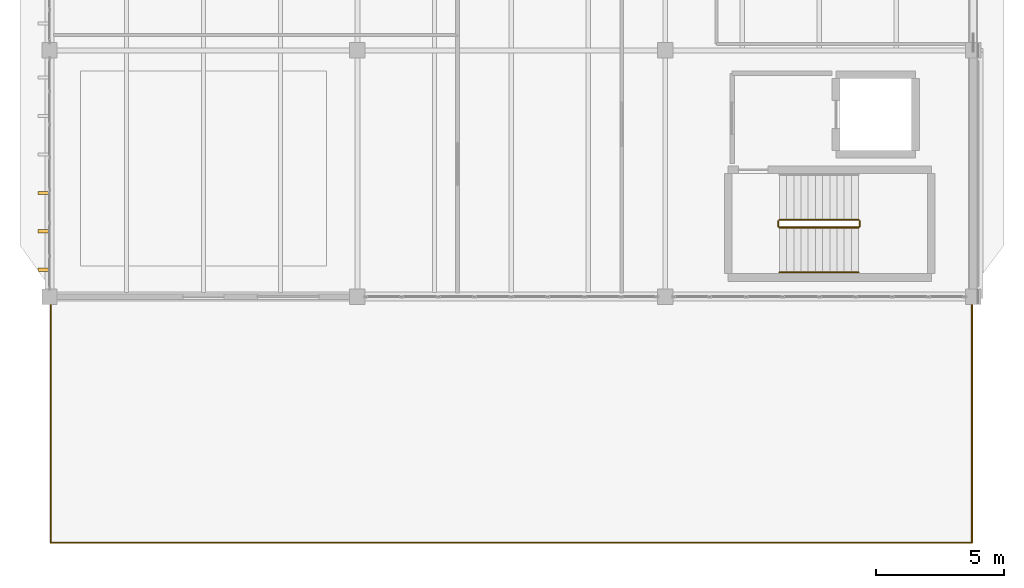
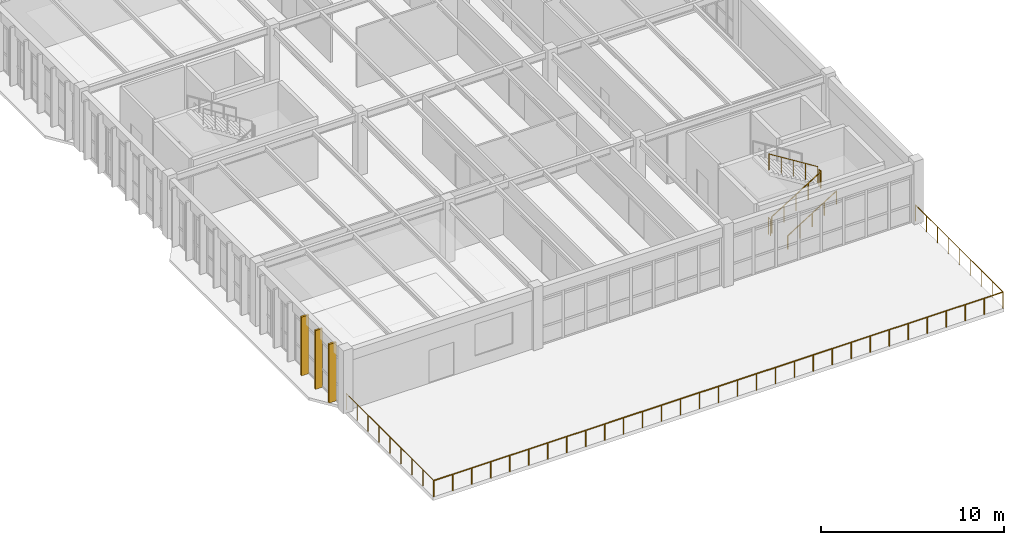
# One storey, part 34 of 37: 8 railings, 3 shading devices.
"""IFC4 building model written with IfcOpenShell, lengths in metres."""

from ifc_helpers import new_model, si_unit, direction, frame, origin, origin_2d, place, context, subcontext, project, spatial, rectangle, circle, extrude, material, type_object, element, save


model = new_model("IFC4")

# Units and contexts
model_context = context("Model", 3, precision=1e-05, world=origin(), true_north=direction((0.0, 1.0)))
body_context = subcontext(model_context, "Body", "Model", "MODEL_VIEW")
ifc_project = project(units=[si_unit("LENGTHUNIT", "METRE"), si_unit("AREAUNIT", "SQUARE_METRE"), si_unit("VOLUMEUNIT", "CUBIC_METRE"), si_unit("PLANEANGLEUNIT", "RADIAN"), si_unit("MASSUNIT", "GRAM", prefix="KILO")], contexts=[model_context])

# Site, building, storey
site_placement = place(None, origin())
site = spatial("IfcSite", under=ifc_project, at=site_placement, CompositionType="ELEMENT")
building_placement = place(site_placement, origin())
building = spatial("IfcBuilding", under=site, at=building_placement, Name="Pandanus Reach Market Hall", CompositionType="ELEMENT")
storey_placement = place(building_placement, frame((0.0, 0.0, 14.39990234375)))
storey = spatial("IfcBuildingStorey", under=building, at=storey_placement, Name="L03", CompositionType="ELEMENT", Elevation=14.39990234375)

# Railings
ifc_material_1 = material(Name="Galvanised steel Grade 350 (350 MPa)", Category="steel")
railing_type_1 = type_object("IfcRailingType", Name="BL-EXT-110", PredefinedType="BALUSTRADE", material=ifc_material_1)
railing_1_placement = place(storey_placement, frame((144.04833984375, 19.212890625, 0.0)))
element("IfcRailing", 1, at=railing_1_placement, inside=storey, type_object=railing_type_1, Name="Terrace balustrade L03.16", PredefinedType="BALUSTRADE", context=body_context, shape_type="SweptSolid", body=[
    extrude(circle(Radius=0.02392578125, at=origin_2d()), frame((0.0, 0.0, 1.076171875), z_axis=(1.0, 0.0, 0.0), x_axis=(0.0, 1.0, 0.0)), (0.0, 0.0, 1.0), 35.9033203125),
    extrude(circle(Radius=0.02099609375, at=origin_2d()), origin(), (0.0, 0.0, 1.0), 1.052001953125),
    extrude(circle(Radius=0.02099609375, at=origin_2d()), frame((1.19677734375, 0.0, 0.0)), (0.0, 0.0, 1.0), 1.052001953125),
    extrude(circle(Radius=0.02099609375, at=origin_2d()), frame((2.3935546875, 0.0, 0.0)), (0.0, 0.0, 1.0), 1.052001953125),
    extrude(circle(Radius=0.02099609375, at=origin_2d()), frame((3.59033203125, 0.0, 0.0)), (0.0, 0.0, 1.0), 1.052001953125),
    extrude(circle(Radius=0.02099609375, at=origin_2d()), frame((4.787109375, 0.0, 0.0)), (0.0, 0.0, 1.0), 1.052001953125),
    extrude(circle(Radius=0.02099609375, at=origin_2d()), frame((5.98388671875, 0.0, 0.0)), (0.0, 0.0, 1.0), 1.052001953125),
    extrude(circle(Radius=0.02099609375, at=origin_2d()), frame((7.1806640625, 0.0, 0.0)), (0.0, 0.0, 1.0), 1.052001953125),
    extrude(circle(Radius=0.02099609375, at=origin_2d()), frame((8.37744140625, 0.0, 0.0)), (0.0, 0.0, 1.0), 1.052001953125),
    extrude(circle(Radius=0.02099609375, at=origin_2d()), frame((9.57421875, 0.0, 0.0)), (0.0, 0.0, 1.0), 1.052001953125),
    extrude(circle(Radius=0.02099609375, at=origin_2d()), frame((10.77099609375, 0.0, 0.0)), (0.0, 0.0, 1.0), 1.052001953125),
    extrude(circle(Radius=0.02099609375, at=origin_2d()), frame((11.9677734375, 0.0, 0.0)), (0.0, 0.0, 1.0), 1.052001953125),
    extrude(circle(Radius=0.02099609375, at=origin_2d()), frame((13.16455078125, 0.0, 0.0)), (0.0, 0.0, 1.0), 1.052001953125),
    extrude(circle(Radius=0.02099609375, at=origin_2d()), frame((14.361328125, 0.0, 0.0)), (0.0, 0.0, 1.0), 1.052001953125),
    extrude(circle(Radius=0.02099609375, at=origin_2d()), frame((15.55810546875, 0.0, 0.0)), (0.0, 0.0, 1.0), 1.052001953125),
    extrude(circle(Radius=0.02099609375, at=origin_2d()), frame((16.7548828125, 0.0, 0.0)), (0.0, 0.0, 1.0), 1.052001953125),
    extrude(circle(Radius=0.02099609375, at=origin_2d()), frame((17.95166015625, 0.0, 0.0)), (0.0, 0.0, 1.0), 1.052001953125),
    extrude(circle(Radius=0.02099609375, at=origin_2d()), frame((19.1484375, 0.0, 0.0)), (0.0, 0.0, 1.0), 1.052001953125),
    extrude(circle(Radius=0.02099609375, at=origin_2d()), frame((20.34521484375, 0.0, 0.0)), (0.0, 0.0, 1.0), 1.052001953125),
    extrude(circle(Radius=0.02099609375, at=origin_2d()), frame((21.5419921875, 0.0, 0.0)), (0.0, 0.0, 1.0), 1.052001953125),
    extrude(circle(Radius=0.02099609375, at=origin_2d()), frame((22.73876953125, 0.0, 0.0)), (0.0, 0.0, 1.0), 1.052001953125),
    extrude(circle(Radius=0.02099609375, at=origin_2d()), frame((23.935546875, 0.0, 0.0)), (0.0, 0.0, 1.0), 1.052001953125),
    extrude(circle(Radius=0.02099609375, at=origin_2d()), frame((25.13232421875, 0.0, 0.0)), (0.0, 0.0, 1.0), 1.052001953125),
    extrude(circle(Radius=0.02099609375, at=origin_2d()), frame((26.3291015625, 0.0, 0.0)), (0.0, 0.0, 1.0), 1.052001953125),
    extrude(circle(Radius=0.02099609375, at=origin_2d()), frame((27.52587890625, 0.0, 0.0)), (0.0, 0.0, 1.0), 1.052001953125),
    extrude(circle(Radius=0.02099609375, at=origin_2d()), frame((28.72265625, 0.0, 0.0)), (0.0, 0.0, 1.0), 1.052001953125),
    extrude(circle(Radius=0.02099609375, at=origin_2d()), frame((29.91943359375, 0.0, 0.0)), (0.0, 0.0, 1.0), 1.052001953125),
    extrude(circle(Radius=0.02099609375, at=origin_2d()), frame((31.1162109375, 0.0, 0.0)), (0.0, 0.0, 1.0), 1.052001953125),
    extrude(circle(Radius=0.02099609375, at=origin_2d()), frame((32.31298828125, 0.0, 0.0)), (0.0, 0.0, 1.0), 1.052001953125),
    extrude(circle(Radius=0.02099609375, at=origin_2d()), frame((33.509765625, 0.0, 0.0)), (0.0, 0.0, 1.0), 1.052001953125),
    extrude(circle(Radius=0.02099609375, at=origin_2d()), frame((34.70654296875, 0.0, 0.0)), (0.0, 0.0, 1.0), 1.052001953125),
    extrude(circle(Radius=0.02099609375, at=origin_2d()), frame((35.9033203125, 0.0, 0.0)), (0.0, 0.0, 1.0), 1.052001953125),
])
railing_2_placement = place(storey_placement, frame((179.95166015625, 19.212890625, 0.0)))
element("IfcRailing", 2, at=railing_2_placement, inside=storey, type_object=railing_type_1, Name="Terrace balustrade L03.17", PredefinedType="BALUSTRADE", context=body_context, shape_type="SweptSolid", body=[
    extrude(circle(Radius=0.02392578125, at=origin_2d()), frame((0.0, 0.0, 1.076171875), z_axis=(0.0, 1.0, 0.0), x_axis=(-1.0, 0.0, 0.0)), (0.0, 0.0, 1.0), 9.57421875),
    extrude(circle(Radius=0.02099609375, at=origin_2d()), origin(), (0.0, 0.0, 1.0), 1.052001953125),
    extrude(circle(Radius=0.02099609375, at=origin_2d()), frame((0.0, 1.19677734375, 0.0)), (0.0, 0.0, 1.0), 1.052001953125),
    extrude(circle(Radius=0.02099609375, at=origin_2d()), frame((0.0, 2.3935546875, 0.0)), (0.0, 0.0, 1.0), 1.052001953125),
    extrude(circle(Radius=0.02099609375, at=origin_2d()), frame((0.0, 3.59033203125, 0.0)), (0.0, 0.0, 1.0), 1.052001953125),
    extrude(circle(Radius=0.02099609375, at=origin_2d()), frame((0.0, 4.787109375, 0.0)), (0.0, 0.0, 1.0), 1.052001953125),
    extrude(circle(Radius=0.02099609375, at=origin_2d()), frame((0.0, 5.98388671875, 0.0)), (0.0, 0.0, 1.0), 1.052001953125),
    extrude(circle(Radius=0.02099609375, at=origin_2d()), frame((0.0, 7.1806640625, 0.0)), (0.0, 0.0, 1.0), 1.052001953125),
    extrude(circle(Radius=0.02099609375, at=origin_2d()), frame((0.0, 8.37744140625, 0.0)), (0.0, 0.0, 1.0), 1.052001953125),
    extrude(circle(Radius=0.02099609375, at=origin_2d()), frame((0.0, 9.57421875, 0.0)), (0.0, 0.0, 1.0), 1.052001953125),
])
railing_3_placement = place(storey_placement, frame((144.04833984375, 28.787109375, 0.0)))
element("IfcRailing", 3, at=railing_3_placement, inside=storey, type_object=railing_type_1, Name="Terrace balustrade L03.18", PredefinedType="BALUSTRADE", context=body_context, shape_type="SweptSolid", body=[
    extrude(circle(Radius=0.02392578125, at=origin_2d()), frame((0.0, 0.0, 1.076171875), z_axis=(0.0, -1.0, 0.0), x_axis=(1.0, 0.0, 0.0)), (0.0, 0.0, 1.0), 9.57421875),
    extrude(circle(Radius=0.02099609375, at=origin_2d()), origin(), (0.0, 0.0, 1.0), 1.052001953125),
    extrude(circle(Radius=0.02099609375, at=origin_2d()), frame((0.0, -1.19677734375, 0.0)), (0.0, 0.0, 1.0), 1.052001953125),
    extrude(circle(Radius=0.02099609375, at=origin_2d()), frame((0.0, -2.3935546875, 0.0)), (0.0, 0.0, 1.0), 1.052001953125),
    extrude(circle(Radius=0.02099609375, at=origin_2d()), frame((0.0, -3.59033203125, 0.0)), (0.0, 0.0, 1.0), 1.052001953125),
    extrude(circle(Radius=0.02099609375, at=origin_2d()), frame((0.0, -4.787109375, 0.0)), (0.0, 0.0, 1.0), 1.052001953125),
    extrude(circle(Radius=0.02099609375, at=origin_2d()), frame((0.0, -5.98388671875, 0.0)), (0.0, 0.0, 1.0), 1.052001953125),
    extrude(circle(Radius=0.02099609375, at=origin_2d()), frame((0.0, -7.1806640625, 0.0)), (0.0, 0.0, 1.0), 1.052001953125),
    extrude(circle(Radius=0.02099609375, at=origin_2d()), frame((0.0, -8.37744140625, 0.0)), (0.0, 0.0, 1.0), 1.052001953125),
    extrude(circle(Radius=0.02099609375, at=origin_2d()), frame((0.0, -9.57421875, 0.0)), (0.0, 0.0, 1.0), 1.052001953125),
])

# Shading devices
ifc_material_2 = material(Name="Precast concrete S50 (50 MPa)", Category="concrete")
shading_device_type = type_object("IfcShadingDeviceType", Name="FN-S50-450", PredefinedType="JALOUSIE", material=ifc_material_2)
for number, where, z_axis, x_axis, name in (
    (4, (143.780029296875, 29.85009765625, -0.009765625), (0.0, 0.0, 1.0), (-1.0, 0.0, 0.0), "Precast brise-soleil fin 537"),
    (5, (143.780029296875, 31.35009765625, -0.009765625), (0.0, 0.0, 1.0), (-1.0, 0.0, 0.0), "Precast brise-soleil fin 538"),
    (6, (143.780029296875, 32.85009765625, -0.009765625), (0.0, 0.0, 1.0), (-1.0, 0.0, 0.0), "Precast brise-soleil fin 539"),
):
    element("IfcShadingDevice", number, at=place(storey_placement, frame(where, z_axis=z_axis, x_axis=x_axis)), inside=storey, type_object=shading_device_type, Name=name, PredefinedType="JALOUSIE", context=body_context, shape_type="SweptSolid", body=[
        extrude(rectangle(XDim=0.449951171875, YDim=0.1201171875, at=origin_2d()), origin(), (0.0, 0.0, 1.0), 3.919921875),
    ])

# Railings
railing_type_2 = type_object("IfcRailingType", Name="GR-INT-110", PredefinedType="GUARDRAIL", material=ifc_material_1)
railing_4_placement = place(storey_placement, frame((172.449951171875, 31.5, 0.175048828125)))
element("IfcRailing", 7, at=railing_4_placement, inside=storey, type_object=railing_type_2, Name="Stair guard ST-01 L03.25", PredefinedType="GUARDRAIL", context=body_context, shape_type="SweptSolid", body=[
    extrude(circle(Radius=0.02392578125, at=origin_2d()), frame((0.0, 0.0, 1.076171875), z_axis=(0.847998304005, 0.0, 0.529998940003), x_axis=(0.0, 1.0, 0.0)), (0.0, 0.0, 1.0), 3.632080078125),
    extrude(circle(Radius=0.02099609375, at=origin_2d()), origin(), (0.0, 0.0, 1.0), 1.052001953125),
    extrude(circle(Radius=0.02099609375, at=origin_2d()), frame((0.77001953125, 0.0, 0.481201171875)), (0.0, 0.0, 1.0), 1.052001953125),
    extrude(circle(Radius=0.02099609375, at=origin_2d()), frame((1.5400390625, 0.0, 0.96240234375)), (0.0, 0.0, 1.0), 1.052001953125),
    extrude(circle(Radius=0.02099609375, at=origin_2d()), frame((2.31005859375, 0.0, 1.44384765625)), (0.0, 0.0, 1.0), 1.052001953125),
    extrude(circle(Radius=0.02099609375, at=origin_2d()), frame((3.080078125, 0.0, 1.925048828125)), (0.0, 0.0, 1.0), 1.052001953125),
])
railing_5_placement = place(storey_placement, frame((175.580078125, 31.550048828125, 2.10009765625)))
element("IfcRailing", 8, at=railing_5_placement, inside=storey, type_object=railing_type_2, Name="Stair guard ST-01 L03.26", PredefinedType="GUARDRAIL", context=body_context, shape_type="SweptSolid", body=[
    extrude(circle(Radius=0.02392578125, at=origin_2d()), frame((0.0, 0.0, 1.076171875), z_axis=(0.0, 1.0, 0.0), x_axis=(-1.0, 0.0, 0.0)), (0.0, 0.0, 1.0), 0.199951171875),
    extrude(circle(Radius=0.02099609375, at=origin_2d()), origin(), (0.0, 0.0, 1.0), 1.052001953125),
    extrude(circle(Radius=0.02099609375, at=origin_2d()), frame((0.0, 0.199951171875, 0.0)), (0.0, 0.0, 1.0), 1.052001953125),
])
railing_6_placement = place(storey_placement, frame((175.530029296875, 31.800048828125, 2.275146484375)))
element("IfcRailing", 9, at=railing_6_placement, inside=storey, type_object=railing_type_2, Name="Stair guard ST-01 L03.27", PredefinedType="GUARDRAIL", context=body_context, shape_type="SweptSolid", body=[
    extrude(circle(Radius=0.02392578125, at=origin_2d()), frame((0.0, 0.0, 1.076171875), z_axis=(-0.847998304005, 0.0, 0.529998940003), x_axis=(0.0, -1.0, 0.0)), (0.0, 0.0, 1.0), 3.632080078125),
    extrude(circle(Radius=0.02099609375, at=origin_2d()), origin(), (0.0, 0.0, 1.0), 1.052001953125),
    extrude(circle(Radius=0.02099609375, at=origin_2d()), frame((-0.77001953125, 0.0, 0.481201171875)), (0.0, 0.0, 1.0), 1.052001953125),
    extrude(circle(Radius=0.02099609375, at=origin_2d()), frame((-1.5400390625, 0.0, 0.96240234375)), (0.0, 0.0, 1.0), 1.052001953125),
    extrude(circle(Radius=0.02099609375, at=origin_2d()), frame((-2.31005859375, 0.0, 1.44384765625)), (0.0, 0.0, 1.0), 1.052001953125),
    extrude(circle(Radius=0.02099609375, at=origin_2d()), frame((-3.080078125, 0.0, 1.925048828125)), (0.0, 0.0, 1.0), 1.052001953125),
])
railing_7_placement = place(storey_placement, frame((172.39990234375, 31.550048828125, 0.0)))
element("IfcRailing", 10, at=railing_7_placement, inside=storey, type_object=railing_type_2, Name="Stair guard ST-01 L03.28", PredefinedType="GUARDRAIL", context=body_context, shape_type="SweptSolid", body=[
    extrude(circle(Radius=0.02392578125, at=origin_2d()), frame((0.0, 0.0, 1.076171875), z_axis=(0.0, 1.0, 0.0), x_axis=(-1.0, 0.0, 0.0)), (0.0, 0.0, 1.0), 0.199951171875),
    extrude(circle(Radius=0.02099609375, at=origin_2d()), origin(), (0.0, 0.0, 1.0), 1.052001953125),
    extrude(circle(Radius=0.02099609375, at=origin_2d()), frame((0.0, 0.199951171875, 0.0)), (0.0, 0.0, 1.0), 1.052001953125),
])
ifc_material_3 = material(Name="Brushed stainless steel", Category="steel")
railing_type_3 = type_object("IfcRailingType", Name="HR-WAL-090", PredefinedType="HANDRAIL", material=ifc_material_3)
railing_8_placement = place(storey_placement, frame((172.449951171875, 29.75, 0.175048828125)))
element("IfcRailing", 11, at=railing_8_placement, inside=storey, type_object=railing_type_3, Name="Stair handrail ST-01 L03.29", PredefinedType="HANDRAIL", context=body_context, shape_type="SweptSolid", body=[
    extrude(circle(Radius=0.02392578125, at=origin_2d()), frame((0.0, 0.0, 0.8759765625), z_axis=(0.847998304005, 0.0, 0.529998940003), x_axis=(0.0, 1.0, 0.0)), (0.0, 0.0, 1.0), 3.632080078125),
    extrude(circle(Radius=0.02099609375, at=origin_2d()), origin(), (0.0, 0.0, 1.0), 0.851806640625),
    extrude(circle(Radius=0.02099609375, at=origin_2d()), frame((0.77001953125, 0.0, 0.481201171875)), (0.0, 0.0, 1.0), 0.851806640625),
    extrude(circle(Radius=0.02099609375, at=origin_2d()), frame((1.5400390625, 0.0, 0.96240234375)), (0.0, 0.0, 1.0), 0.851806640625),
    extrude(circle(Radius=0.02099609375, at=origin_2d()), frame((2.31005859375, 0.0, 1.44384765625)), (0.0, 0.0, 1.0), 0.851806640625),
    extrude(circle(Radius=0.02099609375, at=origin_2d()), frame((3.080078125, 0.0, 1.925048828125)), (0.0, 0.0, 1.0), 0.851806640625),
])

save(model, "model.ifc")
